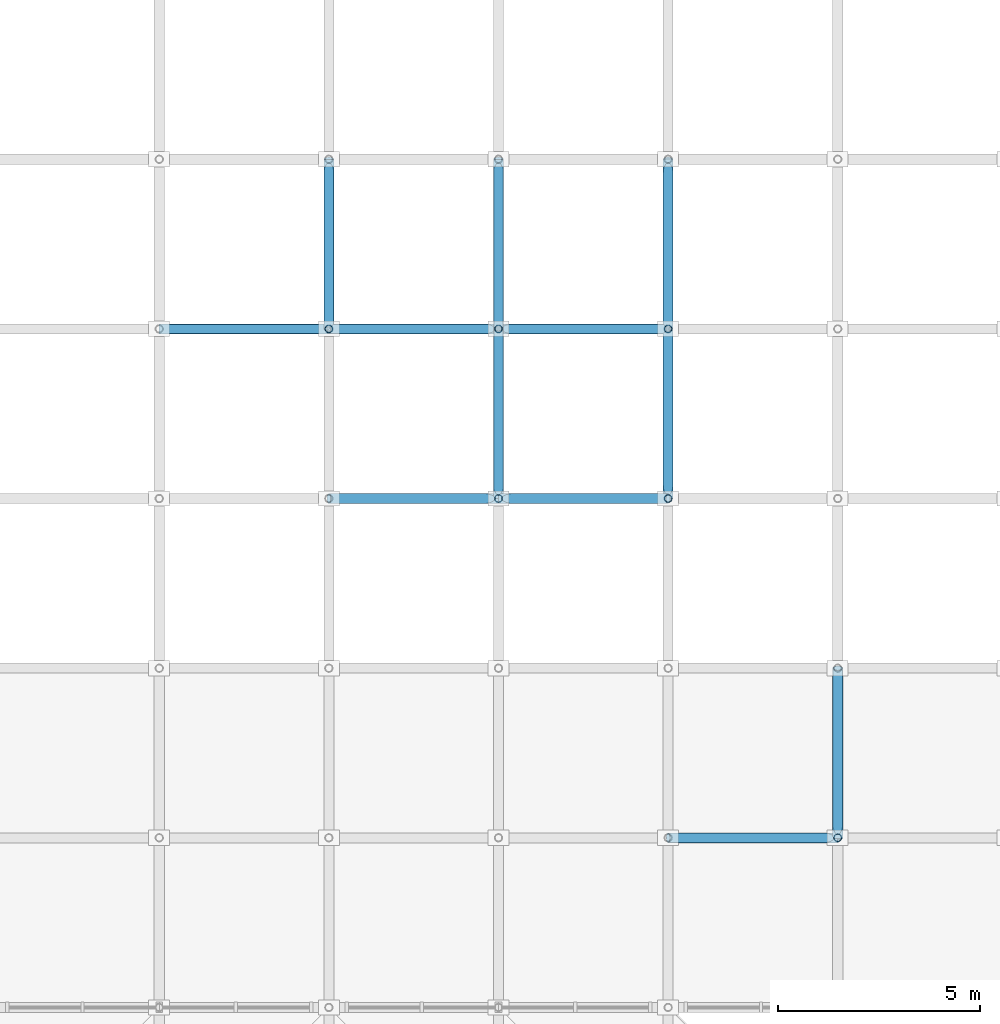
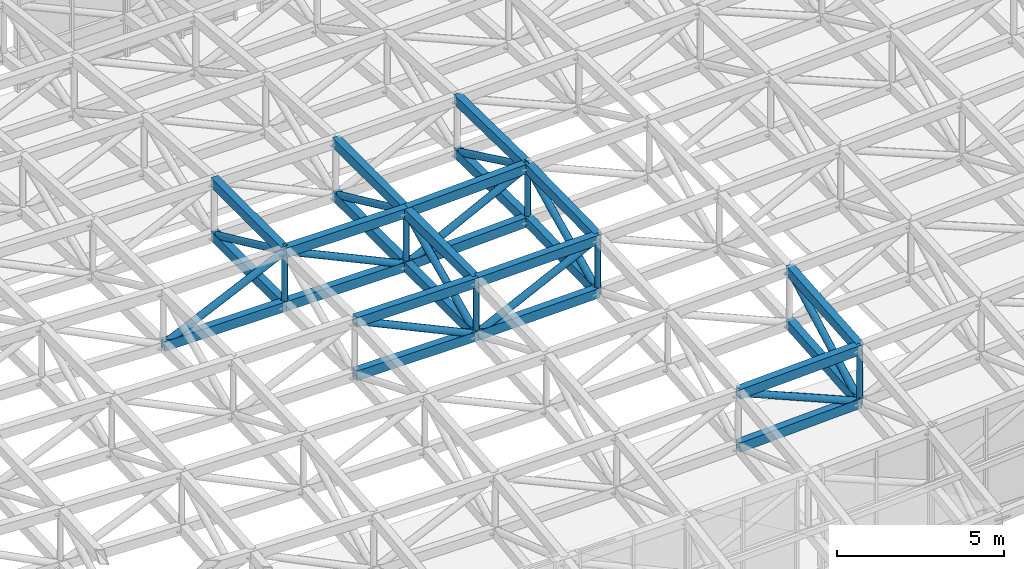
# One storey, part 43 of 111: 41 members.
"""IFC4 building model written with IfcOpenShell, lengths in metres."""

from ifc_helpers import new_model, si_unit, direction, frame, origin, origin_2d, place, context, subcontext, project, spatial, hollow_rectangle, hollow_circle, extrude, material, material_profile, profile_set, type_object, element, save


model = new_model("IFC4")

# Units and contexts
model_context = context("Model", 3, precision=1e-05, world=origin(), true_north=direction((0.0, 1.0)))
body_context = subcontext(model_context, "Body", "Model", "MODEL_VIEW")
ifc_project = project(units=[si_unit("LENGTHUNIT", "METRE"), si_unit("AREAUNIT", "SQUARE_METRE"), si_unit("VOLUMEUNIT", "CUBIC_METRE"), si_unit("PLANEANGLEUNIT", "RADIAN"), si_unit("MASSUNIT", "GRAM", prefix="KILO")], contexts=[model_context])

# Site, building, storey
site_placement = place(None, origin())
site = spatial("IfcSite", under=ifc_project, at=site_placement, CompositionType="ELEMENT")
building_placement = place(site_placement, origin())
building = spatial("IfcBuilding", under=site, at=building_placement, Name="Cumbredor Promenade Congress Hotel", CompositionType="ELEMENT")
storey_placement = place(building_placement, frame((0.0, 0.0, 15.1201171875)))
storey = spatial("IfcBuildingStorey", under=building, at=storey_placement, Name="L04", CompositionType="ELEMENT", Elevation=15.1201171875)

# Members
ifc_material = material(Name="Steel ASTM A500 Grade C", Category="steel")
ifc_material_profile_1 = material_profile(ifc_material, hollow_rectangle(XDim=0.25, YDim=0.35009765625, WallThickness=0.01611328125, at=origin_2d()), Name="HSS 350x250x16")
ifc_profile_set_1 = profile_set([ifc_material_profile_1], Name="Steel ASTM A500 Grade C")
member_type_1 = type_object("IfcMemberType", Name="Forum Roof Truss Chord", PredefinedType="CHORD", material=ifc_profile_set_1)
for number, where, z_axis, x_axis, name in (
    (1, (142.800048828125, 88.199951171875, 3.99609375), (0.999187261443, 0.0, 0.040309013512), (0.0, 1.0, 0.0), "Pre-Function and Breakout Meeting Forum X Top Chord 14.3"),
    (2, (142.800048828125, 88.199951171875, 2.046142578125), (0.999187261443, 0.0, 0.040309013512), (0.0, 1.0, 0.0), "Pre-Function and Breakout Meeting Forum X Bottom Chord 14.3"),
):
    element("IfcMember", number, at=place(storey_placement, frame(where, z_axis=z_axis, x_axis=x_axis)), inside=storey, type_object=member_type_1, Name=name, PredefinedType="CHORD", context=body_context, shape_type="SweptSolid", body=[
        extrude(hollow_rectangle(XDim=0.25, YDim=0.35009765625, WallThickness=0.01611328125, at=origin_2d()), origin(), (0.0, 0.0, 1.0), 4.203369140625),
    ])
for number, where, z_axis, x_axis, name in (
    (3, (134.39990234375, 96.60009765625, 4.470458984375), (1.0, 0.0, 0.0), (0.0, 1.0, 0.0), "Pre-Function and Breakout Meeting Forum X Top Chord 12.5"),
    (4, (134.39990234375, 96.60009765625, 2.5205078125), (1.0, 0.0, 0.0), (0.0, 1.0, 0.0), "Pre-Function and Breakout Meeting Forum X Bottom Chord 12.5"),
):
    element("IfcMember", number, at=place(storey_placement, frame(where, z_axis=z_axis, x_axis=x_axis)), inside=storey, type_object=member_type_1, Name=name, PredefinedType="CHORD", context=body_context, shape_type="SweptSolid", body=[
        extrude(hollow_rectangle(XDim=0.25, YDim=0.35009765625, WallThickness=0.01611328125, at=origin_2d()), origin(), (0.0, 0.0, 1.0), 4.2001953125),
    ])
for number, where, z_axis, x_axis, name in (
    (5, (138.60009765625, 96.60009765625, 4.470458984375), (0.999732481716, 0.0, 0.023129310453), (0.0, 1.0, 0.0), "Pre-Function and Breakout Meeting Forum X Top Chord 13.5"),
    (6, (138.60009765625, 96.60009765625, 2.5205078125), (0.999732481716, 0.0, 0.023129310453), (0.0, 1.0, 0.0), "Pre-Function and Breakout Meeting Forum X Bottom Chord 13.5"),
):
    element("IfcMember", number, at=place(storey_placement, frame(where, z_axis=z_axis, x_axis=x_axis)), inside=storey, type_object=member_type_1, Name=name, PredefinedType="CHORD", context=body_context, shape_type="SweptSolid", body=[
        extrude(hollow_rectangle(XDim=0.25, YDim=0.35009765625, WallThickness=0.01611328125, at=origin_2d()), origin(), (0.0, 0.0, 1.0), 4.201171875),
    ])
member_1_placement = place(storey_placement, frame((130.199951171875, 100.800048828125, 2.520751953125), z_axis=(0.99999999831, 0.0, 5.8129396e-05), x_axis=(0.0, 1.0, 0.0)))
element("IfcMember", 7, at=member_1_placement, inside=storey, type_object=member_type_1, Name="Pre-Function and Breakout Meeting Forum X Bottom Chord 11.6", PredefinedType="CHORD", context=body_context, shape_type="SweptSolid", body=[
    extrude(hollow_rectangle(XDim=0.25, YDim=0.35009765625, WallThickness=0.01611328125, at=origin_2d()), origin(), (0.0, 0.0, 1.0), 4.199951171875),
])
for number, where, z_axis, x_axis, name in (
    (8, (134.39990234375, 100.800048828125, 4.470947265625), (0.999999998311, 0.0, -5.8126017e-05), (0.0, 1.0, 0.0), "Pre-Function and Breakout Meeting Forum X Top Chord 12.6"),
    (9, (134.39990234375, 100.800048828125, 2.52099609375), (0.999999998311, 0.0, -5.8126017e-05), (0.0, 1.0, 0.0), "Pre-Function and Breakout Meeting Forum X Bottom Chord 12.6"),
):
    element("IfcMember", number, at=place(storey_placement, frame(where, z_axis=z_axis, x_axis=x_axis)), inside=storey, type_object=member_type_1, Name=name, PredefinedType="CHORD", context=body_context, shape_type="SweptSolid", body=[
        extrude(hollow_rectangle(XDim=0.25, YDim=0.35009765625, WallThickness=0.01611328125, at=origin_2d()), origin(), (0.0, 0.0, 1.0), 4.2001953125),
    ])
for number, where, z_axis, x_axis, name in (
    (10, (138.60009765625, 100.800048828125, 4.470703125), (0.999194264342, 0.0, 0.040135048344), (0.0, 1.0, 0.0), "Pre-Function and Breakout Meeting Forum X Top Chord 13.6"),
    (11, (138.60009765625, 100.800048828125, 2.520751953125), (0.999196591933, 0.0, 0.040077059143), (0.0, 1.0, 0.0), "Pre-Function and Breakout Meeting Forum X Bottom Chord 13.6"),
):
    element("IfcMember", number, at=place(storey_placement, frame(where, z_axis=z_axis, x_axis=x_axis)), inside=storey, type_object=member_type_1, Name=name, PredefinedType="CHORD", context=body_context, shape_type="SweptSolid", body=[
        extrude(hollow_rectangle(XDim=0.25, YDim=0.35009765625, WallThickness=0.01611328125, at=origin_2d()), origin(), (0.0, 0.0, 1.0), 4.203369140625),
    ])
for number, where, z_axis, x_axis, name in (
    (12, (134.39990234375, 100.800048828125, 4.470947265625), (0.0, 0.999999993242, -0.000116258791), (-1.0, 0.0, 0.0), "Pre-Function and Breakout Meeting Forum Y Top Chord 12.6"),
    (13, (134.39990234375, 100.800048828125, 2.52099609375), (0.0, 0.999999993242, -0.000116258791), (-1.0, 0.0, 0.0), "Pre-Function and Breakout Meeting Forum Y Bottom Chord 12.6"),
    (14, (138.60009765625, 96.60009765625, 4.470458984375), (0.0, 0.99999999831, 5.8129396e-05), (-1.0, 0.0, 0.0), "Pre-Function and Breakout Meeting Forum Y Top Chord 13.5"),
    (15, (138.60009765625, 96.60009765625, 2.5205078125), (0.0, 0.99999999831, 5.8129396e-05), (-1.0, 0.0, 0.0), "Pre-Function and Breakout Meeting Forum Y Bottom Chord 13.5"),
    (16, (138.60009765625, 100.800048828125, 4.470703125), (0.0, 0.99999999831, -5.8129396e-05), (-1.0, 0.0, 0.0), "Pre-Function and Breakout Meeting Forum Y Top Chord 13.6"),
    (17, (138.60009765625, 100.800048828125, 2.520751953125), (0.0, 0.99999999831, -5.8129396e-05), (-1.0, 0.0, 0.0), "Pre-Function and Breakout Meeting Forum Y Bottom Chord 13.6"),
):
    element("IfcMember", number, at=place(storey_placement, frame(where, z_axis=z_axis, x_axis=x_axis)), inside=storey, type_object=member_type_1, Name=name, PredefinedType="CHORD", context=body_context, shape_type="SweptSolid", body=[
        extrude(hollow_rectangle(XDim=0.25, YDim=0.35009765625, WallThickness=0.01611328125, at=origin_2d()), origin(), (0.0, 0.0, 1.0), 4.199951171875),
    ])
member_2_placement = place(storey_placement, frame((142.800048828125, 96.60009765625, 4.567626953125), z_axis=(0.0, 0.999853997206, 0.017087547241), x_axis=(-1.0, 0.0, 0.0)))
element("IfcMember", 18, at=member_2_placement, inside=storey, type_object=member_type_1, Name="Pre-Function and Breakout Meeting Forum Y Top Chord 14.5", PredefinedType="CHORD", context=body_context, shape_type="SweptSolid", body=[
    extrude(hollow_rectangle(XDim=0.25, YDim=0.35009765625, WallThickness=0.01611328125, at=origin_2d()), origin(), (0.0, 0.0, 1.0), 4.20068359375),
])
member_3_placement = place(storey_placement, frame((142.800048828125, 96.60009765625, 2.61767578125), z_axis=(0.0, 0.999854988518, 0.017029443215), x_axis=(-1.0, 0.0, 0.0)))
element("IfcMember", 19, at=member_3_placement, inside=storey, type_object=member_type_1, Name="Pre-Function and Breakout Meeting Forum Y Bottom Chord 14.5", PredefinedType="CHORD", context=body_context, shape_type="SweptSolid", body=[
    extrude(hollow_rectangle(XDim=0.25, YDim=0.35009765625, WallThickness=0.01611328125, at=origin_2d()), origin(), (0.0, 0.0, 1.0), 4.200439453125),
])
member_4_placement = place(storey_placement, frame((142.800048828125, 100.800048828125, 4.639404296875), z_axis=(0.0, 0.999853997206, -0.017087547241), x_axis=(-1.0, 0.0, 0.0)))
element("IfcMember", 20, at=member_4_placement, inside=storey, type_object=member_type_1, Name="Pre-Function and Breakout Meeting Forum Y Top Chord 14.6", PredefinedType="CHORD", context=body_context, shape_type="SweptSolid", body=[
    extrude(hollow_rectangle(XDim=0.25, YDim=0.35009765625, WallThickness=0.01611328125, at=origin_2d()), origin(), (0.0, 0.0, 1.0), 4.20068359375),
])
member_5_placement = place(storey_placement, frame((142.800048828125, 100.800048828125, 2.689208984375), z_axis=(0.0, 0.999854988518, -0.017029443215), x_axis=(-1.0, 0.0, 0.0)))
element("IfcMember", 21, at=member_5_placement, inside=storey, type_object=member_type_1, Name="Pre-Function and Breakout Meeting Forum Y Bottom Chord 14.6", PredefinedType="CHORD", context=body_context, shape_type="SweptSolid", body=[
    extrude(hollow_rectangle(XDim=0.25, YDim=0.35009765625, WallThickness=0.01611328125, at=origin_2d()), origin(), (0.0, 0.0, 1.0), 4.200439453125),
])
for number, where, z_axis, x_axis, name in (
    (22, (147.0, 88.199951171875, 4.16552734375), (0.0, 0.996975556685, 0.07771576013), (-1.0, 0.0, 0.0), "Pre-Function and Breakout Meeting Forum Y Top Chord 15.3"),
    (23, (147.0, 88.199951171875, 2.215576171875), (0.0, 0.996975556685, 0.07771576013), (-1.0, 0.0, 0.0), "Pre-Function and Breakout Meeting Forum Y Bottom Chord 15.3"),
):
    element("IfcMember", number, at=place(storey_placement, frame(where, z_axis=z_axis, x_axis=x_axis)), inside=storey, type_object=member_type_1, Name=name, PredefinedType="CHORD", context=body_context, shape_type="SweptSolid", body=[
        extrude(hollow_rectangle(XDim=0.25, YDim=0.35009765625, WallThickness=0.01611328125, at=origin_2d()), origin(), (0.0, 0.0, 1.0), 4.212646484375),
    ])
ifc_material_profile_2 = material_profile(ifc_material, hollow_circle(Radius=0.122314453125, WallThickness=0.012451171875, at=origin_2d()), Name="CHS 244.5x12.5")
ifc_profile_set_2 = profile_set([ifc_material_profile_2], Name="Steel ASTM A500 Grade C")
member_type_2 = type_object("IfcMemberType", Name="Space Frame Web Diagonal D2", PredefinedType="BRACE", material=ifc_profile_set_2)
member_6_placement = place(storey_placement, frame((142.800048828125, 88.199951171875, 3.99609375), z_axis=(0.920682624594, 0.0, -0.390312060755), x_axis=(0.0, 1.0, 0.0)))
element("IfcMember", 24, at=member_6_placement, inside=storey, type_object=member_type_2, Name="Pre-Function and Breakout Meeting Forum X Web Diagonal 14.3", PredefinedType="BRACE", context=body_context, shape_type="SweptSolid", body=[
    extrude(hollow_circle(Radius=0.122314453125, WallThickness=0.012451171875, at=origin_2d()), origin(), (0.0, 0.0, 1.0), 4.561767578125),
])
member_7_placement = place(storey_placement, frame((134.39990234375, 96.60009765625, 4.470458984375), z_axis=(0.907020474303, 0.0, -0.421086522219), x_axis=(0.0, 1.0, 0.0)))
element("IfcMember", 25, at=member_7_placement, inside=storey, type_object=member_type_2, Name="Pre-Function and Breakout Meeting Forum X Web Diagonal 12.5", PredefinedType="BRACE", context=body_context, shape_type="SweptSolid", body=[
    extrude(hollow_circle(Radius=0.122314453125, WallThickness=0.012451171875, at=origin_2d()), origin(), (0.0, 0.0, 1.0), 4.630859375),
])
member_8_placement = place(storey_placement, frame((138.60009765625, 96.60009765625, 2.5205078125), z_axis=(0.898906503364, 0.0, 0.438140500535), x_axis=(0.0, 1.0, 0.0)))
element("IfcMember", 26, at=member_8_placement, inside=storey, type_object=member_type_2, Name="Pre-Function and Breakout Meeting Forum X Web Diagonal 13.5", PredefinedType="BRACE", context=body_context, shape_type="SweptSolid", body=[
    extrude(hollow_circle(Radius=0.122314453125, WallThickness=0.012451171875, at=origin_2d()), origin(), (0.0, 0.0, 1.0), 4.67236328125),
])
member_9_placement = place(storey_placement, frame((130.199951171875, 100.800048828125, 2.520751953125), z_axis=(0.90699098694, 0.0, 0.421150032185), x_axis=(0.0, 1.0, 0.0)))
element("IfcMember", 27, at=member_9_placement, inside=storey, type_object=member_type_2, Name="Pre-Function and Breakout Meeting Forum X Web Diagonal 11.6", PredefinedType="BRACE", context=body_context, shape_type="SweptSolid", body=[
    extrude(hollow_circle(Radius=0.122314453125, WallThickness=0.012451171875, at=origin_2d()), origin(), (0.0, 0.0, 1.0), 4.630615234375),
])
member_10_placement = place(storey_placement, frame((134.39990234375, 100.800048828125, 4.470947265625), z_axis=(0.907000337579, 0.0, -0.421129894012), x_axis=(0.0, 1.0, 0.0)))
element("IfcMember", 28, at=member_10_placement, inside=storey, type_object=member_type_2, Name="Pre-Function and Breakout Meeting Forum X Web Diagonal 12.6", PredefinedType="BRACE", context=body_context, shape_type="SweptSolid", body=[
    extrude(hollow_circle(Radius=0.122314453125, WallThickness=0.012451171875, at=origin_2d()), origin(), (0.0, 0.0, 1.0), 4.630859375),
])
member_11_placement = place(storey_placement, frame((138.60009765625, 100.800048828125, 2.520751953125), z_axis=(0.89283341529, 0.0, 0.450387047485), x_axis=(0.0, 1.0, 0.0)))
element("IfcMember", 29, at=member_11_placement, inside=storey, type_object=member_type_2, Name="Pre-Function and Breakout Meeting Forum X Web Diagonal 13.6", PredefinedType="BRACE", context=body_context, shape_type="SweptSolid", body=[
    extrude(hollow_circle(Radius=0.122314453125, WallThickness=0.012451171875, at=origin_2d()), origin(), (0.0, 0.0, 1.0), 4.7041015625),
])
member_12_placement = place(storey_placement, frame((134.39990234375, 100.800048828125, 4.470947265625), z_axis=(0.0, 0.906970847318, -0.421193402269), x_axis=(-1.0, 0.0, 0.0)))
element("IfcMember", 30, at=member_12_placement, inside=storey, type_object=member_type_2, Name="Pre-Function and Breakout Meeting Forum Y Web Diagonal 12.6", PredefinedType="BRACE", context=body_context, shape_type="SweptSolid", body=[
    extrude(hollow_circle(Radius=0.122314453125, WallThickness=0.012451171875, at=origin_2d()), origin(), (0.0, 0.0, 1.0), 4.630859375),
])
for number, where, z_axis, x_axis, name in (
    (31, (138.60009765625, 96.60009765625, 2.5205078125), (0.0, 0.90699098694, 0.421150032185), (-1.0, 0.0, 0.0), "Pre-Function and Breakout Meeting Forum Y Web Diagonal 13.5"),
    (32, (138.60009765625, 100.800048828125, 4.470703125), (0.0, 0.90699098694, -0.421150032185), (-1.0, 0.0, 0.0), "Pre-Function and Breakout Meeting Forum Y Web Diagonal 13.6"),
):
    element("IfcMember", number, at=place(storey_placement, frame(where, z_axis=z_axis, x_axis=x_axis)), inside=storey, type_object=member_type_2, Name=name, PredefinedType="BRACE", context=body_context, shape_type="SweptSolid", body=[
        extrude(hollow_circle(Radius=0.122314453125, WallThickness=0.012451171875, at=origin_2d()), origin(), (0.0, 0.0, 1.0), 4.630615234375),
    ])
for number, where, z_axis, x_axis, name in (
    (33, (142.800048828125, 96.60009765625, 2.61767578125), (0.0, 0.901041094584, 0.433733726923), (-1.0, 0.0, 0.0), "Pre-Function and Breakout Meeting Forum Y Web Diagonal 14.5"),
    (34, (142.800048828125, 100.800048828125, 4.639404296875), (0.0, 0.901041094584, -0.433733726923), (-1.0, 0.0, 0.0), "Pre-Function and Breakout Meeting Forum Y Web Diagonal 14.6"),
):
    element("IfcMember", number, at=place(storey_placement, frame(where, z_axis=z_axis, x_axis=x_axis)), inside=storey, type_object=member_type_2, Name=name, PredefinedType="BRACE", context=body_context, shape_type="SweptSolid", body=[
        extrude(hollow_circle(Radius=0.122314453125, WallThickness=0.012451171875, at=origin_2d()), origin(), (0.0, 0.0, 1.0), 4.6611328125),
    ])
member_13_placement = place(storey_placement, frame((147.0, 88.199951171875, 2.215576171875), z_axis=(0.0, 0.879084119381, 0.476666666604), x_axis=(-1.0, 0.0, 0.0)))
element("IfcMember", 35, at=member_13_placement, inside=storey, type_object=member_type_2, Name="Pre-Function and Breakout Meeting Forum Y Web Diagonal 15.3", PredefinedType="BRACE", context=body_context, shape_type="SweptSolid", body=[
    extrude(hollow_circle(Radius=0.122314453125, WallThickness=0.012451171875, at=origin_2d()), origin(), (0.0, 0.0, 1.0), 4.777587890625),
])
ifc_material_profile_3 = material_profile(ifc_material, hollow_circle(Radius=0.096923828125, WallThickness=0.010009765625, at=origin_2d()), Name="CHS 193.7x10")
ifc_profile_set_3 = profile_set([ifc_material_profile_3], Name="Steel ASTM A500 Grade C")
member_type_3 = type_object("IfcMemberType", Name="Space Frame Web Post P1", PredefinedType="BRACE", material=ifc_profile_set_3)
for number, where, z_axis, x_axis, name in (
    (36, (134.39990234375, 100.800048828125, 2.52099609375), (0.0, 0.0, 1.0), (1.0, 0.0, 0.0), "Pre-Function and Breakout Meeting Forum Space Frame Web Post 12.6"),
    (37, (138.60009765625, 96.60009765625, 2.5205078125), (0.0, 0.0, 1.0), (1.0, 0.0, 0.0), "Pre-Function and Breakout Meeting Forum Space Frame Web Post 13.5"),
    (38, (138.60009765625, 100.800048828125, 2.520751953125), (0.0, 0.0, 1.0), (1.0, 0.0, 0.0), "Pre-Function and Breakout Meeting Forum Space Frame Web Post 13.6"),
    (39, (142.800048828125, 96.60009765625, 2.61767578125), (0.0, 0.0, 1.0), (1.0, 0.0, 0.0), "Pre-Function and Breakout Meeting Forum Space Frame Web Post 14.5"),
):
    element("IfcMember", number, at=place(storey_placement, frame(where, z_axis=z_axis, x_axis=x_axis)), inside=storey, type_object=member_type_3, Name=name, PredefinedType="BRACE", context=body_context, shape_type="SweptSolid", body=[
        extrude(hollow_circle(Radius=0.096923828125, WallThickness=0.010009765625, at=origin_2d()), origin(), (0.0, 0.0, 1.0), 1.949951171875),
    ])
member_14_placement = place(storey_placement, frame((142.800048828125, 100.800048828125, 2.689208984375), z_axis=(0.0, 0.0, 1.0), x_axis=(1.0, 0.0, 0.0)))
element("IfcMember", 40, at=member_14_placement, inside=storey, type_object=member_type_3, Name="Pre-Function and Breakout Meeting Forum Space Frame Web Post 14.6", PredefinedType="BRACE", context=body_context, shape_type="SweptSolid", body=[
    extrude(hollow_circle(Radius=0.096923828125, WallThickness=0.010009765625, at=origin_2d()), origin(), (0.0, 0.0, 1.0), 1.9501953125),
])
member_15_placement = place(storey_placement, frame((147.0, 88.199951171875, 2.215576171875), z_axis=(0.0, 0.0, 1.0), x_axis=(1.0, 0.0, 0.0)))
element("IfcMember", 41, at=member_15_placement, inside=storey, type_object=member_type_3, Name="Pre-Function and Breakout Meeting Forum Space Frame Web Post 15.3", PredefinedType="BRACE", context=body_context, shape_type="SweptSolid", body=[
    extrude(hollow_circle(Radius=0.096923828125, WallThickness=0.010009765625, at=origin_2d()), origin(), (0.0, 0.0, 1.0), 1.949951171875),
])

save(model, "model.ifc")
